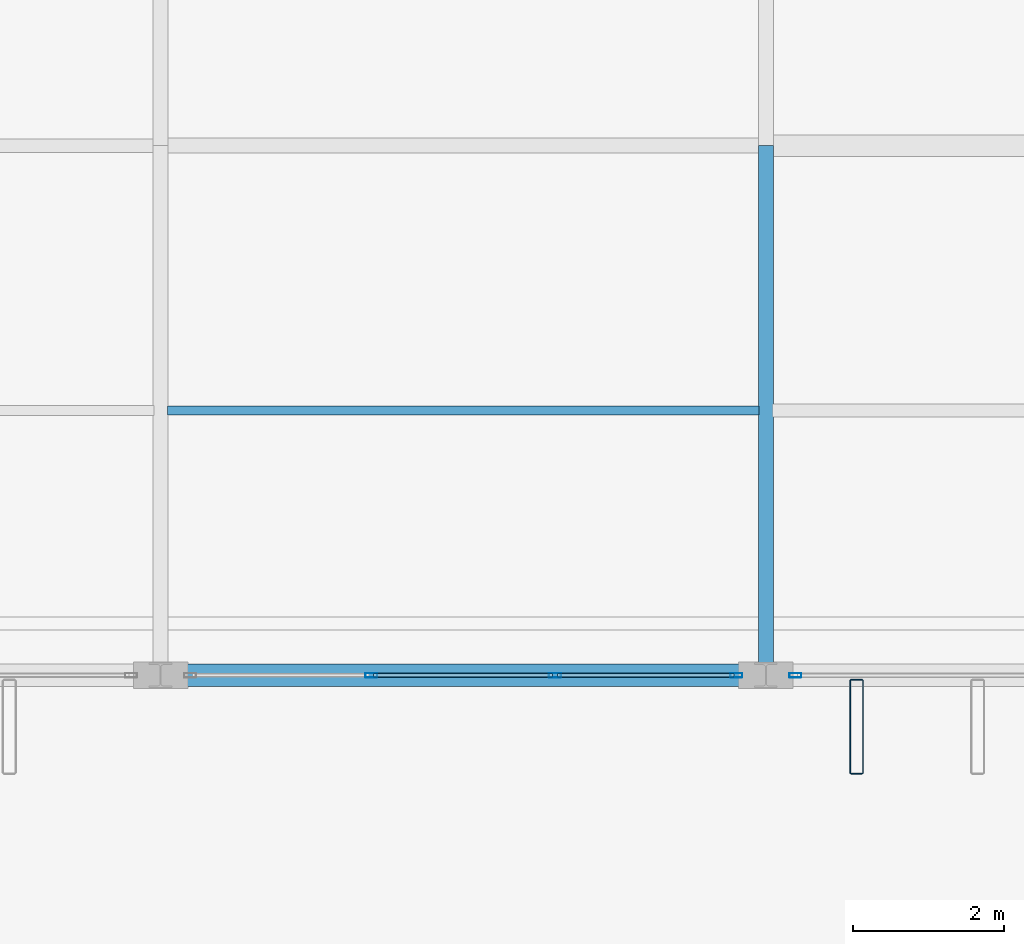
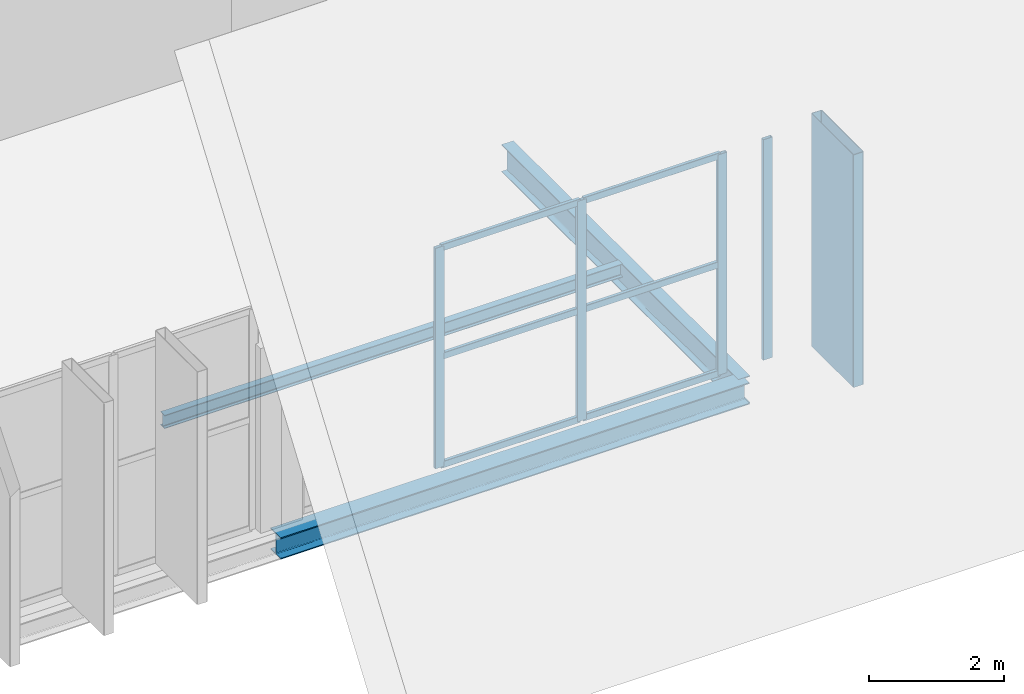
# One storey, part 32 of 93: 11 members, 3 beams, 2 elements without a shape of their own.
"""IFC4 building model written with IfcOpenShell, lengths in metres."""

import ifcopenshell
import ifcopenshell.guid

model = None  # the IFC model being written
_history = None  # IfcOwnerHistory: only IFC2X3 demands one
_inside = {}  # id of a spatial element -> (the spatial element, [elements in it])
_under = {}  # id of a project, library or spatial element -> (it, [spatial elements below it])
_declared = {}  # id of a project -> (the project, [libraries it declares])
_typed = {}  # id of a type object -> (the type object, [elements of that type])
_made_of = {}  # id of a material, layer set ... -> (it, [elements and type objects made of it])


def new_model(schema):
    """Start an empty IFC model of exactly this schema.

    Asked for "IFC4X3", IfcOpenShell would pick the latest addendum, in which some entities
    have other attributes; the version numbers below select the first issue.
    IFC2X3 requires an IfcOwnerHistory on every rooted entity: one is made here for all.
    """
    global model, _history
    if schema == "IFC4X3":
        model = ifcopenshell.file(schema_version=(4, 3, 0, 0))
    else:
        model = ifcopenshell.file(schema=schema)
    _inside.clear()
    _under.clear()
    _declared.clear()
    _typed.clear()
    _made_of.clear()
    _history = None
    if model.schema == "IFC2X3":
        org = make("IfcOrganization", Name="unknown")
        user = make(
            "IfcPersonAndOrganization",
            ThePerson=make("IfcPerson", FamilyName="unknown"),
            TheOrganization=org,
        )
        app = make(
            "IfcApplication",
            ApplicationDeveloper=org,
            Version="unknown",
            ApplicationFullName="unknown",
            ApplicationIdentifier="unknown",
        )
        _history = make(
            "IfcOwnerHistory",
            OwningUser=user,
            OwningApplication=app,
            ChangeAction="ADDED",
            CreationDate=0,
        )
    return model


def make(cls, **values):
    """One entity of the class cls with the attributes given. An attribute that is None is left unset."""
    return model.create_entity(
        cls, **{name: value for name, value in values.items() if value is not None}
    )


def rooted(cls, **values):
    """An entity with a GlobalId (a new one), such as an element, a storey or a relation."""
    return make(cls, GlobalId=ifcopenshell.guid.new(), OwnerHistory=_history, **values)


def si_unit(unit_type, name, prefix=None):
    """IfcSIUnit, for example si_unit("LENGTHUNIT", "METRE", prefix="MILLI")."""
    return make("IfcSIUnit", UnitType=unit_type, Prefix=prefix, Name=name)


def assignment(units):
    """IfcUnitAssignment: the units of a project."""
    return None if units is None else make("IfcUnitAssignment", Units=units)


def point(xyz):
    """IfcCartesianPoint."""
    return None if xyz is None else make("IfcCartesianPoint", Coordinates=xyz)


def direction(xyz):
    """IfcDirection."""
    return None if xyz is None else make("IfcDirection", DirectionRatios=xyz)


def frame(location, z_axis=None, x_axis=None):
    """IfcAxis2Placement3D, a coordinate frame: its origin and axes. An axis left out is left unset."""
    return make(
        "IfcAxis2Placement3D",
        Location=point(location),
        Axis=direction(z_axis),
        RefDirection=direction(x_axis),
    )


def frame_2d(location, x_axis=None):
    """IfcAxis2Placement2D, a coordinate frame in the plane: its origin and x axis."""
    return make(
        "IfcAxis2Placement2D", Location=point(location), RefDirection=direction(x_axis)
    )


def origin():
    """The frame at (0, 0, 0) with its axes left unset."""
    return frame((0.0, 0.0, 0.0))


def origin_2d():
    """The frame at (0, 0) in the plane with its x axis left unset."""
    return frame_2d((0.0, 0.0))


def place(relative_to, where):
    """IfcLocalPlacement: puts the frame where relative to a parent placement (None: the world)."""
    return make(
        "IfcLocalPlacement", PlacementRelTo=relative_to, RelativePlacement=where
    )


def context(
    kind, dimensions, precision=None, world=None, true_north=None, identifier=None
):
    """IfcGeometricRepresentationContext, for example the 3D "Model" context."""
    return make(
        "IfcGeometricRepresentationContext",
        ContextIdentifier=identifier,
        ContextType=kind,
        CoordinateSpaceDimension=dimensions,
        Precision=precision,
        WorldCoordinateSystem=world,
        TrueNorth=true_north,
    )


def subcontext(parent, identifier, kind, view, scale=None):
    """IfcGeometricRepresentationSubContext, for example "Body" below "Model"."""
    return make(
        "IfcGeometricRepresentationSubContext",
        ContextIdentifier=identifier,
        ContextType=kind,
        ParentContext=parent,
        TargetScale=scale,
        TargetView=view,
    )


def project(units=None, contexts=None):
    """IfcProject with its units and contexts."""
    return rooted(
        "IfcProject",
        Name="project",
        RepresentationContexts=contexts,
        UnitsInContext=assignment(units),
    )


def spatial(cls, under=None, at=None, **own):
    """A site, building, storey or space (cls), placed at a placement, below another one or the project."""
    s = rooted(cls, ObjectPlacement=at, **own)
    if under is not None:
        _under.setdefault(under.id(), (under, []))[1].append(s)
    return s


def profile(cls, at=None, kind="AREA", **sizes):
    """A parametric profile (cls). Its sizes go by their IFC names, for example OverallWidth=200.0."""
    return make(cls, ProfileType=kind, Position=at, **sizes)


def hollow_rectangle(**sizes):
    """IfcRectangleHollowProfileDef."""
    return profile("IfcRectangleHollowProfileDef", **sizes)


def i_section(**sizes):
    """IfcIShapeProfileDef."""
    return profile("IfcIShapeProfileDef", **sizes)


def extrude(swept, where, along, depth):
    """IfcExtrudedAreaSolid: the profile swept, set in the frame where, extruded along a direction by depth."""
    return make(
        "IfcExtrudedAreaSolid",
        SweptArea=swept,
        Position=where,
        ExtrudedDirection=direction(along),
        Depth=depth,
    )


def shape(context_of_items, identifier, shape_type, items):
    """IfcShapeRepresentation: the items that make up one representation, for example the "Body"."""
    return make(
        "IfcShapeRepresentation",
        ContextOfItems=context_of_items,
        RepresentationIdentifier=identifier,
        RepresentationType=shape_type,
        Items=items,
    )


def material(Name=None, Category=None):
    """IfcMaterial."""
    return make("IfcMaterial", Name=Name, Category=Category)


def layer(
    of_material, thickness, ventilated=None, Name=None, Category=None, Priority=None
):
    """IfcMaterialLayer: one layer of a wall or slab, of a material (None: an air gap)."""
    return make(
        "IfcMaterialLayer",
        Material=of_material,
        LayerThickness=thickness,
        IsVentilated=ventilated,
        Name=Name,
        Category=Category,
        Priority=Priority,
    )


def layer_set(layers, Name=None):
    """IfcMaterialLayerSet."""
    return make("IfcMaterialLayerSet", MaterialLayers=layers, LayerSetName=Name)


def material_profile(
    of_material, cross_section, Name=None, Category=None, Priority=None
):
    """IfcMaterialProfile: a cross section and its material."""
    return make(
        "IfcMaterialProfile",
        Name=Name,
        Material=of_material,
        Profile=cross_section,
        Priority=Priority,
        Category=Category,
    )


def profile_set(profiles, Name=None, composite=None):
    """IfcMaterialProfileSet."""
    return make(
        "IfcMaterialProfileSet",
        Name=Name,
        MaterialProfiles=profiles,
        CompositeProfile=composite,
    )


def made_of(thing, what):
    """Note that an element or type object is made of a material, layer set ...; save() writes the relation."""
    if what is not None:
        _made_of.setdefault(what.id(), (what, []))[1].append(thing)
    return thing


def type_object(cls, material=None, **own):
    """A type object (cls), such as IfcWallType, which elements share."""
    return made_of(rooted(cls, **own), material)


def element(
    cls,
    number,
    at=None,
    inside=None,
    cuts=None,
    type_object=None,
    material=None,
    context=None,
    identifier="Body",
    shape_type=None,
    held_by="IfcProductDefinitionShape",
    body=None,
    shapes=None,
    **own,
):
    """One element of the class cls, such as IfcWall. Its Tag is "e" and its number.

    at: its placement. inside: the storey or other place that contains it. cuts: it is an
    opening in that element (IfcRelVoidsElement). A single representation is given by context,
    identifier, shape_type and body (its items); several are given by shapes. held_by: the class
    of the entity that holds the representations. save() writes the other relations.
    """
    e = rooted(cls, Tag="e%d" % number, ObjectPlacement=at, **own)
    if body is not None:
        shapes = [shape(context, identifier, shape_type, body)]
    if shapes is not None:
        e.Representation = make(held_by, Representations=shapes)
    if inside is not None:
        _inside.setdefault(inside.id(), (inside, []))[1].append(e)
    if cuts is not None:
        rooted(
            "IfcRelVoidsElement", RelatingBuildingElement=cuts, RelatedOpeningElement=e
        )
    if type_object is not None:
        _typed.setdefault(type_object.id(), (type_object, []))[1].append(e)
    return made_of(e, material)


def aggregate(whole, parts):
    """IfcRelAggregates: a whole, such as a stair, and the parts it consists of."""
    return rooted("IfcRelAggregates", RelatingObject=whole, RelatedObjects=parts)


def save(model, path):
    """Write the relations noted so far, then the file.

    IfcRelAggregates (storeys below a building ...), IfcRelContainedInSpatialStructure (elements
    in a storey), IfcRelDefinesByType, IfcRelAssociatesMaterial and IfcRelDeclares: one each for
    every whole, place, type object, material and project.
    """
    for whole, parts in _under.values():
        aggregate(whole, parts)
    for where, things in _inside.values():
        rooted(
            "IfcRelContainedInSpatialStructure",
            RelatedElements=things,
            RelatingStructure=where,
        )
    for kind, things in _typed.values():
        rooted("IfcRelDefinesByType", RelatedObjects=things, RelatingType=kind)
    for what, things in _made_of.values():
        rooted("IfcRelAssociatesMaterial", RelatedObjects=things, RelatingMaterial=what)
    for by, libraries in _declared.values():
        rooted("IfcRelDeclares", RelatingContext=by, RelatedDefinitions=libraries)
    model.write(path)


model = new_model("IFC4")

# Units and contexts
model_context = context("Model", 3, precision=1e-05, world=origin(), true_north=direction((0.0, 1.0)))
body_context = subcontext(model_context, "Body", "Model", "MODEL_VIEW")
ifc_project = project(units=[si_unit("LENGTHUNIT", "METRE"), si_unit("AREAUNIT", "SQUARE_METRE"), si_unit("VOLUMEUNIT", "CUBIC_METRE"), si_unit("PLANEANGLEUNIT", "RADIAN"), si_unit("MASSUNIT", "GRAM", prefix="KILO")], contexts=[model_context])

# Site, building, storey
site_placement = place(None, origin())
site = spatial("IfcSite", under=ifc_project, at=site_placement, CompositionType="ELEMENT")
building_placement = place(site_placement, origin())
building = spatial("IfcBuilding", under=site, at=building_placement, Name="Vekula Escarpment Museum", CompositionType="ELEMENT")
storey_placement = place(building_placement, frame((0.0, 0.0, 22.199951171875)))
storey = spatial("IfcBuildingStorey", under=building, at=storey_placement, Name="L05", CompositionType="ELEMENT", Elevation=22.199951171875)

# Beams
ifc_material_1 = material(Name="Steel S355", Category="steel")
ifc_material_profile_1 = material_profile(ifc_material_1, i_section(OverallWidth=0.199951171875, OverallDepth=0.5, WebThickness=0.01025390625, FlangeThickness=0.01611328125, FilletRadius=0.02099609375, at=origin_2d()), Name="IPE 500")
ifc_profile_set_1 = profile_set([ifc_material_profile_1], Name="Steel S355")
beam_type_1 = type_object("IfcBeamType", Name="BM-GIRD-IPE500", PredefinedType="BEAM", material=ifc_profile_set_1)
beam_1_placement = place(storey_placement, frame((102.0, 45.60009765625, -0.469970703125), z_axis=(0.0, 1.0, 0.0), x_axis=(-1.0, 0.0, 0.0)))
element("IfcBeam", 1, at=beam_1_placement, inside=storey, type_object=beam_type_1, Name="Beam Y L05 2138", PredefinedType="BEAM", context=body_context, shape_type="SweptSolid", body=[
    extrude(i_section(OverallWidth=0.199951171875, OverallDepth=0.5, WebThickness=0.01025390625, FlangeThickness=0.01611328125, FilletRadius=0.02099609375, at=origin_2d()), origin(), (0.0, 0.0, 1.0), 7.0),
])
ifc_material_2 = material(Name="Steel S355", Category="steel")
ifc_material_profile_2 = material_profile(ifc_material_2, i_section(OverallWidth=0.1201171875, OverallDepth=0.239990234375, WebThickness=0.006103515625, FlangeThickness=0.009765625, FilletRadius=0.014892578125, at=origin_2d()), Name="IPE 240")
ifc_profile_set_2 = profile_set([ifc_material_profile_2], Name="Steel S355")
beam_type_2 = type_object("IfcBeamType", Name="BM-JST-IPE240", PredefinedType="JOIST", material=ifc_profile_set_2)
beam_2_placement = place(storey_placement, frame((94.090087890625, 49.10009765625, -0.33984375), z_axis=(1.0, 0.0, 0.0), x_axis=(0.0, 1.0, 0.0)))
element("IfcBeam", 2, at=beam_2_placement, inside=storey, type_object=beam_type_2, Name="Secondary Joist L05 1358", PredefinedType="JOIST", context=body_context, shape_type="SweptSolid", body=[
    extrude(i_section(OverallWidth=0.1201171875, OverallDepth=0.239990234375, WebThickness=0.006103515625, FlangeThickness=0.009765625, FilletRadius=0.014892578125, at=origin_2d()), origin(), (0.0, 0.0, 1.0), 7.81982421875),
])
ifc_material_3 = material(Name="Steel S355", Category="steel")
ifc_material_profile_3 = material_profile(ifc_material_3, i_section(OverallWidth=0.300048828125, OverallDepth=0.389892578125, WebThickness=0.010986328125, FlangeThickness=0.01904296875, FilletRadius=0.027099609375, at=origin_2d()), Name="HEA 400")
ifc_profile_set_3 = profile_set([ifc_material_profile_3], Name="Steel S355")
beam_type_3 = type_object("IfcBeamType", Name="BM-SPAN-HEA400", PredefinedType="SPANDREL", material=ifc_profile_set_3)
beam_3_placement = place(storey_placement, frame((94.0, 45.60009765625, -0.4150390625), z_axis=(1.0, 0.0, 0.0), x_axis=(0.0, 1.0, 0.0)))
element("IfcBeam", 3, at=beam_3_placement, inside=storey, type_object=beam_type_3, Name="Beam X L05 1959", PredefinedType="SPANDREL", context=body_context, shape_type="SweptSolid", body=[
    extrude(i_section(OverallWidth=0.300048828125, OverallDepth=0.389892578125, WebThickness=0.010986328125, FlangeThickness=0.01904296875, FilletRadius=0.027099609375, at=origin_2d()), origin(), (0.0, 0.0, 1.0), 8.0),
])

# Curtain wall, members
ifc_material_4 = material(Name="Aluminium thermally broken framing", Category="aluminium")
ifc_layer_1 = layer(ifc_material_4, 0.139892578125)
ifc_layer_set_1 = layer_set([ifc_layer_1], Name="Aluminium thermally broken framing")
curtain_wall_type_1 = type_object("IfcCurtainWallType", Name="CW-SYS-06", PredefinedType="NOTDEFINED", material=ifc_layer_set_1)
curtain_wall_1_placement = place(storey_placement, origin())
curtain_wall_1 = element("IfcCurtainWall", 4, at=curtain_wall_1_placement, inside=storey, type_object=curtain_wall_type_1, Name="Curtain Wall CW-L05-166", PredefinedType="NOTDEFINED")
ifc_material_5 = material(Name="Aluminium anodized mullion", Category="aluminium")
ifc_material_profile_4 = material_profile(ifc_material_5, hollow_rectangle(XDim=0.06005859375, YDim=0.159912109375, WallThickness=0.00390625, InnerFilletRadius=0.00390625, OuterFilletRadius=0.008056640625, at=origin_2d()), Name="ALU 160x60x4")
ifc_profile_set_4 = profile_set([ifc_material_profile_4], Name="Aluminium anodized mullion")
member_type_1 = type_object("IfcMemberType", Name="CW-MUL-160", PredefinedType="MULLION", material=ifc_profile_set_4)
member_1_placement = place(storey_placement, frame((96.78662109375, 45.60009765625, 0.0), z_axis=(0.0, 0.0, 1.0), x_axis=(0.0, 1.0, 0.0)))
member_1 = element("IfcMember", 5, at=member_1_placement, type_object=member_type_1, Name="CW-06 mullion 2", PredefinedType="MULLION", context=body_context, shape_type="SweptSolid", body=[
    extrude(hollow_rectangle(XDim=0.06005859375, YDim=0.159912109375, WallThickness=0.00390625, InnerFilletRadius=0.00390625, OuterFilletRadius=0.008056640625, at=origin_2d()), origin(), (0.0, 0.0, 1.0), 3.97998046875),
])
member_2_placement = place(storey_placement, frame((99.21337890625, 45.60009765625, 0.0), z_axis=(0.0, 0.0, 1.0), x_axis=(0.0, 1.0, 0.0)))
member_2 = element("IfcMember", 6, at=member_2_placement, type_object=member_type_1, Name="CW-06 mullion 3", PredefinedType="MULLION", context=body_context, shape_type="SweptSolid", body=[
    extrude(hollow_rectangle(XDim=0.06005859375, YDim=0.159912109375, WallThickness=0.00390625, InnerFilletRadius=0.00390625, OuterFilletRadius=0.008056640625, at=origin_2d()), origin(), (0.0, 0.0, 1.0), 3.97998046875),
])
member_3_placement = place(storey_placement, frame((101.610107421875, 45.60009765625, 0.0), z_axis=(0.0, 0.0, 1.0), x_axis=(0.0, 1.0, 0.0)))
member_3 = element("IfcMember", 7, at=member_3_placement, type_object=member_type_1, Name="CW-06 mullion 4", PredefinedType="MULLION", context=body_context, shape_type="SweptSolid", body=[
    extrude(hollow_rectangle(XDim=0.06005859375, YDim=0.159912109375, WallThickness=0.00390625, InnerFilletRadius=0.00390625, OuterFilletRadius=0.008056640625, at=origin_2d()), origin(), (0.0, 0.0, 1.0), 3.97998046875),
])

# Curtain wall, member
ifc_material_6 = material(Name="Aluminium thermally broken framing", Category="aluminium")
ifc_layer_2 = layer(ifc_material_6, 0.179931640625)
ifc_layer_set_2 = layer_set([ifc_layer_2], Name="Aluminium thermally broken framing")
curtain_wall_type_2 = type_object("IfcCurtainWallType", Name="CW-SYS-07", PredefinedType="NOTDEFINED", material=ifc_layer_set_2)
curtain_wall_2_placement = place(storey_placement, origin())
curtain_wall_2 = element("IfcCurtainWall", 8, at=curtain_wall_2_placement, inside=storey, type_object=curtain_wall_type_2, Name="Curtain Wall CW-L05-167", PredefinedType="NOTDEFINED")
member_4_placement = place(storey_placement, frame((102.389892578125, 45.60009765625, 0.0), z_axis=(0.0, 0.0, 1.0), x_axis=(0.0, 1.0, 0.0)))
member_4 = element("IfcMember", 9, at=member_4_placement, type_object=member_type_1, Name="CW-07 mullion 1", PredefinedType="MULLION", context=body_context, shape_type="SweptSolid", body=[
    extrude(hollow_rectangle(XDim=0.06005859375, YDim=0.159912109375, WallThickness=0.00390625, InnerFilletRadius=0.00390625, OuterFilletRadius=0.008056640625, at=origin_2d()), origin(), (0.0, 0.0, 1.0), 3.97998046875),
])
aggregate(curtain_wall_2, [member_4])

# Member
ifc_material_7 = material(Name="Aluminium anodized transom", Category="aluminium")
ifc_material_profile_5 = material_profile(ifc_material_7, hollow_rectangle(XDim=0.06005859375, YDim=0.1201171875, WallThickness=0.00390625, InnerFilletRadius=0.00390625, OuterFilletRadius=0.008056640625, at=origin_2d()), Name="ALU 120x60x4")
ifc_profile_set_5 = profile_set([ifc_material_profile_5], Name="Aluminium anodized transom")
member_type_2 = type_object("IfcMemberType", Name="CW-TRN-120", PredefinedType="USERDEFINED", material=ifc_profile_set_5)
member_5_placement = place(storey_placement, frame((96.816650390625, 45.60009765625, 0.030029296875), z_axis=(1.0, 0.0, 0.0), x_axis=(0.0, 1.0, 0.0)))
member_5 = element("IfcMember", 10, at=member_5_placement, type_object=member_type_2, Name="CW-06 transom 2.1", ObjectType="TRANSOM", PredefinedType="USERDEFINED", context=body_context, shape_type="SweptSolid", body=[
    extrude(hollow_rectangle(XDim=0.06005859375, YDim=0.1201171875, WallThickness=0.00390625, InnerFilletRadius=0.00390625, OuterFilletRadius=0.008056640625, at=origin_2d()), origin(), (0.0, 0.0, 1.0), 2.36669921875),
])

member_6_placement = place(storey_placement, frame((96.816650390625, 45.60009765625, 1.989990234375), z_axis=(1.0, 0.0, 0.0), x_axis=(0.0, 1.0, 0.0)))
member_6 = element("IfcMember", 11, at=member_6_placement, type_object=member_type_2, Name="CW-06 transom 2.2", ObjectType="TRANSOM", PredefinedType="USERDEFINED", context=body_context, shape_type="SweptSolid", body=[
    extrude(hollow_rectangle(XDim=0.06005859375, YDim=0.1201171875, WallThickness=0.00390625, InnerFilletRadius=0.00390625, OuterFilletRadius=0.008056640625, at=origin_2d()), origin(), (0.0, 0.0, 1.0), 2.36669921875),
])

member_7_placement = place(storey_placement, frame((96.816650390625, 45.60009765625, 3.949951171875), z_axis=(1.0, 0.0, 0.0), x_axis=(0.0, 1.0, 0.0)))
member_7 = element("IfcMember", 12, at=member_7_placement, type_object=member_type_2, Name="CW-06 transom 2.3", ObjectType="TRANSOM", PredefinedType="USERDEFINED", context=body_context, shape_type="SweptSolid", body=[
    extrude(hollow_rectangle(XDim=0.06005859375, YDim=0.1201171875, WallThickness=0.00390625, InnerFilletRadius=0.00390625, OuterFilletRadius=0.008056640625, at=origin_2d()), origin(), (0.0, 0.0, 1.0), 2.36669921875),
])

member_8_placement = place(storey_placement, frame((99.243408203125, 45.60009765625, 0.030029296875), z_axis=(1.0, 0.0, 0.0), x_axis=(0.0, 1.0, 0.0)))
member_8 = element("IfcMember", 13, at=member_8_placement, type_object=member_type_2, Name="CW-06 transom 3.1", ObjectType="TRANSOM", PredefinedType="USERDEFINED", context=body_context, shape_type="SweptSolid", body=[
    extrude(hollow_rectangle(XDim=0.06005859375, YDim=0.1201171875, WallThickness=0.00390625, InnerFilletRadius=0.00390625, OuterFilletRadius=0.008056640625, at=origin_2d()), origin(), (0.0, 0.0, 1.0), 2.336669921875),
])

member_9_placement = place(storey_placement, frame((99.243408203125, 45.60009765625, 1.989990234375), z_axis=(1.0, 0.0, 0.0), x_axis=(0.0, 1.0, 0.0)))
member_9 = element("IfcMember", 14, at=member_9_placement, type_object=member_type_2, Name="CW-06 transom 3.2", ObjectType="TRANSOM", PredefinedType="USERDEFINED", context=body_context, shape_type="SweptSolid", body=[
    extrude(hollow_rectangle(XDim=0.06005859375, YDim=0.1201171875, WallThickness=0.00390625, InnerFilletRadius=0.00390625, OuterFilletRadius=0.008056640625, at=origin_2d()), origin(), (0.0, 0.0, 1.0), 2.336669921875),
])

member_10_placement = place(storey_placement, frame((99.243408203125, 45.60009765625, 3.949951171875), z_axis=(1.0, 0.0, 0.0), x_axis=(0.0, 1.0, 0.0)))
member_10 = element("IfcMember", 15, at=member_10_placement, type_object=member_type_2, Name="CW-06 transom 3.3", ObjectType="TRANSOM", PredefinedType="USERDEFINED", context=body_context, shape_type="SweptSolid", body=[
    extrude(hollow_rectangle(XDim=0.06005859375, YDim=0.1201171875, WallThickness=0.00390625, InnerFilletRadius=0.00390625, OuterFilletRadius=0.008056640625, at=origin_2d()), origin(), (0.0, 0.0, 1.0), 2.336669921875),
])

aggregate(curtain_wall_1, [member_1, member_2, member_3, member_5, member_6, member_7, member_8, member_9, member_10])

ifc_material_8 = material(Name="Steel S355 weathered bronze solar fin", Category="steel")
ifc_material_profile_6 = material_profile(ifc_material_8, hollow_rectangle(XDim=0.179931640625, YDim=1.25, WallThickness=0.010009765625, InnerFilletRadius=0.010009765625, OuterFilletRadius=0.02001953125, at=origin_2d()), Name="RHS 1250x180x10")
ifc_profile_set_6 = profile_set([ifc_material_profile_6], Name="Steel S355 weathered bronze solar fin")
member_type_3 = type_object("IfcMemberType", Name="MB-SOLAR-FIN", PredefinedType="USERDEFINED", material=ifc_profile_set_6)
member_11_placement = place(storey_placement, frame((103.199951171875, 44.919921875, 0.0), z_axis=(0.0, 0.0, 1.0), x_axis=(1.0, 0.0, 0.0)))
element("IfcMember", 16, at=member_11_placement, inside=storey, type_object=member_type_3, Name="Great Hall Vertical Solar Fin 0070", ObjectType="SOLAR FIN", PredefinedType="USERDEFINED", context=body_context, shape_type="SweptSolid", body=[
    extrude(hollow_rectangle(XDim=0.179931640625, YDim=1.25, WallThickness=0.010009765625, InnerFilletRadius=0.010009765625, OuterFilletRadius=0.02001953125, at=origin_2d()), origin(), (0.0, 0.0, 1.0), 4.199951171875),
])

save(model, "model.ifc")
